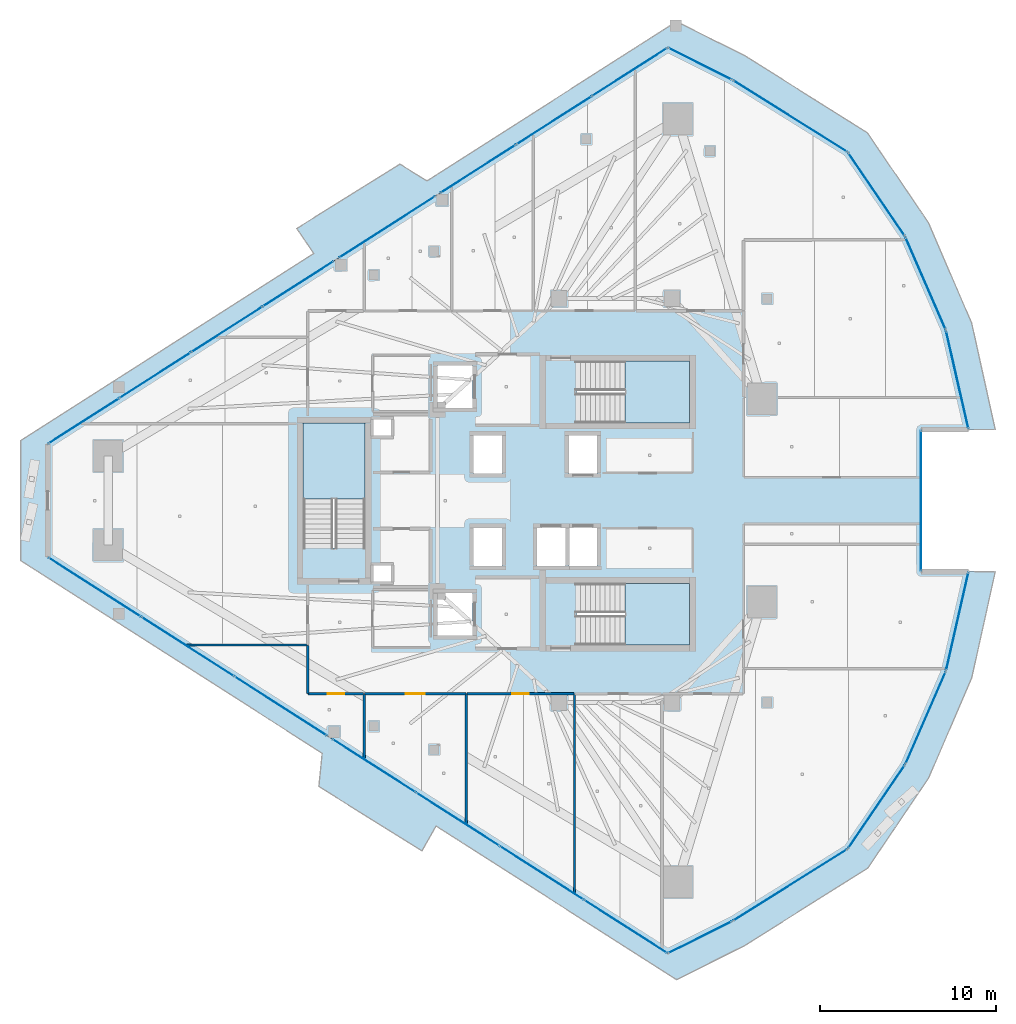
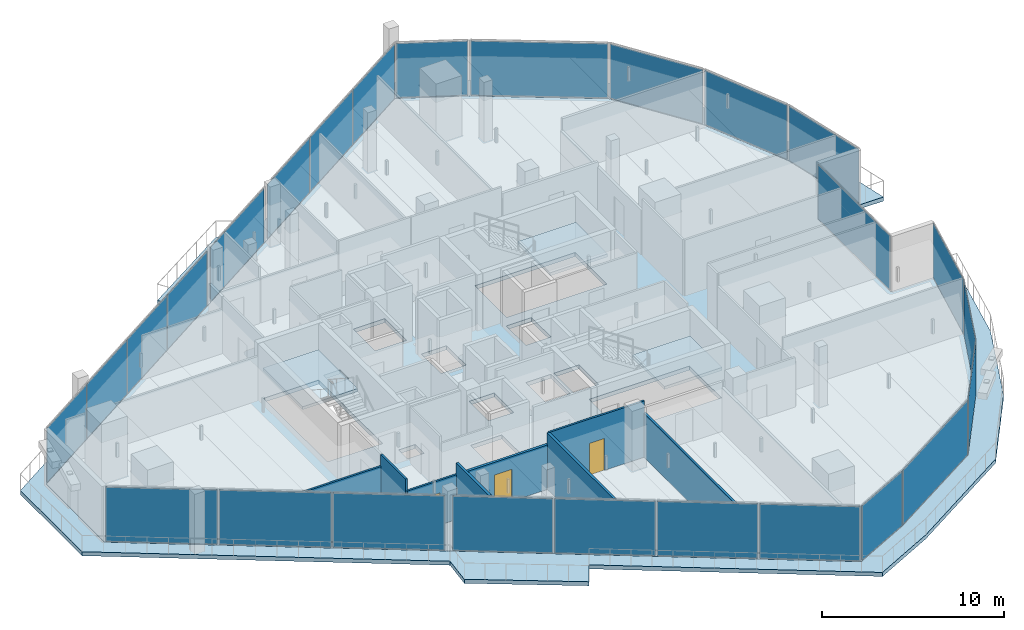
# One storey, part 23 of 36: 26 plates, 8 walls, 5 slabs, 3 doors, 3 openings, 19 elements without a shape of their own.
"""IFC4 building model written with IfcOpenShell, lengths in metres."""

from ifc_helpers import new_model, si_unit, direction, frame, frame_2d, origin, origin_2d, place, context, subcontext, project, spatial, polyline, rectangle, outline, extrude, material, layer, layer_set, type_object, element, fill, aggregate, save


model = new_model("IFC4")

# Units and contexts
model_context = context("Model", 3, precision=1e-05, world=origin(), true_north=direction((0.0, 1.0)))
body_context = subcontext(model_context, "Body", "Model", "MODEL_VIEW")
ifc_project = project(units=[si_unit("LENGTHUNIT", "METRE"), si_unit("AREAUNIT", "SQUARE_METRE"), si_unit("VOLUMEUNIT", "CUBIC_METRE"), si_unit("PLANEANGLEUNIT", "RADIAN"), si_unit("MASSUNIT", "GRAM", prefix="KILO")], contexts=[model_context])

# Site, building, storey
site_placement = place(None, origin())
site = spatial("IfcSite", under=ifc_project, at=site_placement, CompositionType="ELEMENT")
building_placement = place(site_placement, origin())
building = spatial("IfcBuilding", under=site, at=building_placement, Name="Qorvath Tower", CompositionType="ELEMENT")
storey_placement = place(building_placement, frame((0.0, 0.0, 241.5)))
storey = spatial("IfcBuildingStorey", under=building, at=storey_placement, Name="L56", CompositionType="ELEMENT", Elevation=241.5)

# Curtain wall, plates
ifc_material_1 = material(Name="Anodised aluminium and triple low-E glass", Category="aluminium")
ifc_layer_1 = layer(ifc_material_1, 0.179931640625)
ifc_layer_set_1 = layer_set([ifc_layer_1], Name="CW-SYS-3")
curtain_wall_type = type_object("IfcCurtainWallType", Name="CW-SYS-3", PredefinedType="NOTDEFINED", material=ifc_layer_set_1)
curtain_wall_1_placement = place(storey_placement, origin())
curtain_wall_1 = element("IfcCurtainWall", 1, at=curtain_wall_1_placement, inside=storey, type_object=curtain_wall_type, Name="Curtain Wall CW-3 CW-T-L56-2.1", PredefinedType="NOTDEFINED")
ifc_material_2 = material(Name="Low-E triple insulated glass", Category="glass")
ifc_layer_2 = layer(ifc_material_2, 0.031982421875)
ifc_layer_set_2 = layer_set([ifc_layer_2], Name="CWP-GLZ-32")
plate_type = type_object("IfcPlateType", Name="CWP-GLZ-32", PredefinedType="CURTAIN_PANEL", material=ifc_layer_set_2)
plate_1_placement = place(storey_placement, frame((-49.94287109375, -4.9091796875, 0.06494140625), z_axis=(0.0, 0.0, 1.0), x_axis=(0.842605426481, -0.538531424585, 0.0)))
plate_1 = element("IfcPlate", 2, at=plate_1_placement, type_object=plate_type, Name="CW-3 panel 1.1", PredefinedType="CURTAIN_PANEL", context=body_context, shape_type="SweptSolid", body=[
    extrude(rectangle(XDim=6.17919921875, YDim=0.031982421875, at=origin_2d()), origin(), (0.0, 0.0, 1.0), 3.64990234375),
])
plate_2_placement = place(storey_placement, frame((-44.66796875, -8.28076171875, 0.06494140625), z_axis=(0.0, 0.0, 1.0), x_axis=(0.842605426481, -0.538531424585, 0.0)))
plate_2 = element("IfcPlate", 3, at=plate_2_placement, type_object=plate_type, Name="CW-3 panel 2.1", PredefinedType="CURTAIN_PANEL", context=body_context, shape_type="SweptSolid", body=[
    extrude(rectangle(XDim=6.211669921875, YDim=0.031982421875, at=origin_2d()), origin(), (0.0, 0.0, 1.0), 3.64990234375),
])
plate_3_placement = place(storey_placement, frame((-39.392822265625, -11.65234375, 0.06494140625), z_axis=(0.0, 0.0, 1.0), x_axis=(0.842605426481, -0.538531424585, 0.0)))
plate_3 = element("IfcPlate", 4, at=plate_3_placement, type_object=plate_type, Name="CW-3 panel 3.1", PredefinedType="CURTAIN_PANEL", context=body_context, shape_type="SweptSolid", body=[
    extrude(rectangle(XDim=6.17919921875, YDim=0.031982421875, at=origin_2d()), origin(), (0.0, 0.0, 1.0), 3.64990234375),
])
aggregate(curtain_wall_1, [plate_1, plate_2, plate_3])

curtain_wall_2_placement = place(storey_placement, origin())
curtain_wall_2 = element("IfcCurtainWall", 5, at=curtain_wall_2_placement, inside=storey, type_object=curtain_wall_type, Name="Curtain Wall CW-3 CW-T-L56-2.2", PredefinedType="NOTDEFINED")
plate_4_placement = place(storey_placement, frame((-34.09765625, -15.03662109375, 0.06494140625), z_axis=(0.0, 0.0, 1.0), x_axis=(0.84260613198, -0.538530320734, 0.0)))
plate_4 = element("IfcPlate", 6, at=plate_4_placement, type_object=plate_type, Name="CW-3 panel 1.1", PredefinedType="CURTAIN_PANEL", context=body_context, shape_type="SweptSolid", body=[
    extrude(rectangle(XDim=5.555908203125, YDim=0.031982421875, at=origin_2d()), origin(), (0.0, 0.0, 1.0), 3.64990234375),
])
plate_5_placement = place(storey_placement, frame((-29.34765625, -18.072509765625, 0.06494140625), z_axis=(0.0, 0.0, 1.0), x_axis=(0.84260613198, -0.538530320734, 0.0)))
plate_5 = element("IfcPlate", 7, at=plate_5_placement, type_object=plate_type, Name="CW-3 panel 2.1", PredefinedType="CURTAIN_PANEL", context=body_context, shape_type="SweptSolid", body=[
    extrude(rectangle(XDim=5.58837890625, YDim=0.031982421875, at=origin_2d()), origin(), (0.0, 0.0, 1.0), 3.64990234375),
])
plate_6_placement = place(storey_placement, frame((-24.584228515625, -21.116943359375, 0.06494140625), z_axis=(0.0, 0.0, 1.0), x_axis=(0.84260613198, -0.538530320734, 0.0)))
plate_6 = element("IfcPlate", 8, at=plate_6_placement, type_object=plate_type, Name="CW-3 panel 3.1", PredefinedType="CURTAIN_PANEL", context=body_context, shape_type="SweptSolid", body=[
    extrude(rectangle(XDim=5.58837890625, YDim=0.031982421875, at=origin_2d()), origin(), (0.0, 0.0, 1.0), 3.64990234375),
])
plate_7_placement = place(storey_placement, frame((-19.834228515625, -24.15283203125, 0.06494140625), z_axis=(0.0, 0.0, 1.0), x_axis=(0.84260613198, -0.538530320734, 0.0)))
plate_7 = element("IfcPlate", 9, at=plate_7_placement, type_object=plate_type, Name="CW-3 panel 4.1", PredefinedType="CURTAIN_PANEL", context=body_context, shape_type="SweptSolid", body=[
    extrude(rectangle(XDim=5.555908203125, YDim=0.031982421875, at=origin_2d()), origin(), (0.0, 0.0, 1.0), 3.64990234375),
])
aggregate(curtain_wall_2, [plate_4, plate_5, plate_6, plate_7])

# Curtain wall, plate
curtain_wall_3_placement = place(storey_placement, origin())
curtain_wall_3 = element("IfcCurtainWall", 10, at=curtain_wall_3_placement, inside=storey, type_object=curtain_wall_type, Name="Curtain Wall CW-3 CW-T-L56-3.1", PredefinedType="NOTDEFINED")
plate_8_placement = place(storey_placement, frame((-15.60400390625, -24.7666015625, 0.06494140625), z_axis=(0.0, 0.0, 1.0), x_axis=(0.894446691879, 0.447174591616, 0.0)))
plate_8 = element("IfcPlate", 11, at=plate_8_placement, type_object=plate_type, Name="CW-3 panel 1.1", PredefinedType="CURTAIN_PANEL", context=body_context, shape_type="SweptSolid", body=[
    extrude(rectangle(XDim=3.97216796875, YDim=0.031982421875, at=origin_2d()), origin(), (0.0, 0.0, 1.0), 3.64990234375),
])
aggregate(curtain_wall_3, [plate_8])

curtain_wall_4_placement = place(storey_placement, origin())
curtain_wall_4 = element("IfcCurtainWall", 12, at=curtain_wall_4_placement, inside=storey, type_object=curtain_wall_type, Name="Curtain Wall CW-3 CW-T-L56-4.1", PredefinedType="NOTDEFINED")
plate_9_placement = place(storey_placement, frame((-10.500244140625, -21.803466796875, 0.06494140625), z_axis=(0.0, 0.0, 1.0), x_axis=(0.847692984538, 0.530487138359, 0.0)))
plate_9 = element("IfcPlate", 13, at=plate_9_placement, type_object=plate_type, Name="CW-3 panel 1.1", PredefinedType="CURTAIN_PANEL", context=body_context, shape_type="SweptSolid", body=[
    extrude(rectangle(XDim=7.583251953125, YDim=0.031982421875, at=origin_2d()), origin(), (0.0, 0.0, 1.0), 3.64990234375),
])
aggregate(curtain_wall_4, [plate_9])

curtain_wall_5_placement = place(storey_placement, origin())
curtain_wall_5 = element("IfcCurtainWall", 14, at=curtain_wall_5_placement, inside=storey, type_object=curtain_wall_type, Name="Curtain Wall CW-3 CW-T-L56-5.1", PredefinedType="NOTDEFINED")
plate_10_placement = place(storey_placement, frame((-5.6025390625, -17.3671875, 0.06494140625), z_axis=(0.0, 0.0, 1.0), x_axis=(0.563037480685, 0.826431361544, 0.0)))
plate_10 = element("IfcPlate", 15, at=plate_10_placement, type_object=plate_type, Name="CW-3 panel 1.1", PredefinedType="CURTAIN_PANEL", context=body_context, shape_type="SweptSolid", body=[
    extrude(rectangle(XDim=5.65478515625, YDim=0.031982421875, at=origin_2d()), origin(), (0.0, 0.0, 1.0), 3.64990234375),
])
aggregate(curtain_wall_5, [plate_10])

curtain_wall_6_placement = place(storey_placement, origin())
curtain_wall_6 = element("IfcCurtainWall", 16, at=curtain_wall_6_placement, inside=storey, type_object=curtain_wall_type, Name="Curtain Wall CW-3 CW-T-L56-6.1", PredefinedType="NOTDEFINED")
plate_11_placement = place(storey_placement, frame((-2.818115234375, -12.3251953125, 0.06494140625), z_axis=(0.0, 0.0, 1.0), x_axis=(0.399576108738, 0.916700023631, 0.0)))
plate_11 = element("IfcPlate", 17, at=plate_11_placement, type_object=plate_type, Name="CW-3 panel 1.1", PredefinedType="CURTAIN_PANEL", context=body_context, shape_type="SweptSolid", body=[
    extrude(rectangle(XDim=5.65478515625, YDim=0.031982421875, at=origin_2d()), origin(), (0.0, 0.0, 1.0), 3.64990234375),
])
aggregate(curtain_wall_6, [plate_11])

curtain_wall_7_placement = place(storey_placement, origin())
curtain_wall_7 = element("IfcCurtainWall", 18, at=curtain_wall_7_placement, inside=storey, type_object=curtain_wall_type, Name="Curtain Wall CW-3 CW-T-L56-7.1", PredefinedType="NOTDEFINED")
plate_12_placement = place(storey_placement, frame((-1.019775390625, -6.853759765625, 0.06494140625), z_axis=(0.0, 0.0, 1.0), x_axis=(0.222206102058, 0.97499971703, 0.0)))
plate_12 = element("IfcPlate", 19, at=plate_12_placement, type_object=plate_type, Name="CW-3 panel 1.1", PredefinedType="CURTAIN_PANEL", context=body_context, shape_type="SweptSolid", body=[
    extrude(rectangle(XDim=5.65478515625, YDim=0.031982421875, at=origin_2d()), origin(), (0.0, 0.0, 1.0), 3.64990234375),
])
aggregate(curtain_wall_7, [plate_12])

curtain_wall_8_placement = place(storey_placement, origin())
curtain_wall_8 = element("IfcCurtainWall", 20, at=curtain_wall_8_placement, inside=storey, type_object=curtain_wall_type, Name="Curtain Wall CW-3 CW-T-L56-9.1", PredefinedType="NOTDEFINED")
plate_13_placement = place(storey_placement, frame((-3.066162109375, 0.0, 0.06494140625), z_axis=(0.0, 0.0, 1.0), x_axis=(0.0, 1.0, 0.0)))
plate_13 = element("IfcPlate", 21, at=plate_13_placement, type_object=plate_type, Name="CW-3 panel 1.1", PredefinedType="CURTAIN_PANEL", context=body_context, shape_type="SweptSolid", body=[
    extrude(rectangle(XDim=7.9375, YDim=0.031982421875, at=origin_2d()), origin(), (0.0, 0.0, 1.0), 3.64990234375),
])
aggregate(curtain_wall_8, [plate_13])

curtain_wall_9_placement = place(storey_placement, origin())
curtain_wall_9 = element("IfcCurtainWall", 22, at=curtain_wall_9_placement, inside=storey, type_object=curtain_wall_type, Name="Curtain Wall CW-3 CW-T-L56-11.1", PredefinedType="NOTDEFINED")
plate_14_placement = place(storey_placement, frame((-1.019775390625, 6.853759765625, 0.06494140625), z_axis=(0.0, 0.0, 1.0), x_axis=(-0.222206102058, 0.97499971703, 0.0)))
plate_14 = element("IfcPlate", 23, at=plate_14_placement, type_object=plate_type, Name="CW-3 panel 1.1", PredefinedType="CURTAIN_PANEL", context=body_context, shape_type="SweptSolid", body=[
    extrude(rectangle(XDim=5.65478515625, YDim=0.031982421875, at=origin_2d()), origin(), (0.0, 0.0, 1.0), 3.64990234375),
])
aggregate(curtain_wall_9, [plate_14])

curtain_wall_10_placement = place(storey_placement, origin())
curtain_wall_10 = element("IfcCurtainWall", 24, at=curtain_wall_10_placement, inside=storey, type_object=curtain_wall_type, Name="Curtain Wall CW-3 CW-T-L56-12.1", PredefinedType="NOTDEFINED")
plate_15_placement = place(storey_placement, frame((-2.818115234375, 12.3251953125, 0.06494140625), z_axis=(0.0, 0.0, 1.0), x_axis=(-0.399576108738, 0.916700023631, 0.0)))
plate_15 = element("IfcPlate", 25, at=plate_15_placement, type_object=plate_type, Name="CW-3 panel 1.1", PredefinedType="CURTAIN_PANEL", context=body_context, shape_type="SweptSolid", body=[
    extrude(rectangle(XDim=5.65478515625, YDim=0.031982421875, at=origin_2d()), origin(), (0.0, 0.0, 1.0), 3.64990234375),
])
aggregate(curtain_wall_10, [plate_15])

curtain_wall_11_placement = place(storey_placement, origin())
curtain_wall_11 = element("IfcCurtainWall", 26, at=curtain_wall_11_placement, inside=storey, type_object=curtain_wall_type, Name="Curtain Wall CW-3 CW-T-L56-13.1", PredefinedType="NOTDEFINED")
plate_16_placement = place(storey_placement, frame((-5.6025390625, 17.3671875, 0.06494140625), z_axis=(0.0, 0.0, 1.0), x_axis=(-0.563037480685, 0.826431361544, 0.0)))
plate_16 = element("IfcPlate", 27, at=plate_16_placement, type_object=plate_type, Name="CW-3 panel 1.1", PredefinedType="CURTAIN_PANEL", context=body_context, shape_type="SweptSolid", body=[
    extrude(rectangle(XDim=5.65478515625, YDim=0.031982421875, at=origin_2d()), origin(), (0.0, 0.0, 1.0), 3.64990234375),
])
aggregate(curtain_wall_11, [plate_16])

curtain_wall_12_placement = place(storey_placement, origin())
curtain_wall_12 = element("IfcCurtainWall", 28, at=curtain_wall_12_placement, inside=storey, type_object=curtain_wall_type, Name="Curtain Wall CW-3 CW-T-L56-14.1", PredefinedType="NOTDEFINED")
plate_17_placement = place(storey_placement, frame((-10.500244140625, 21.803466796875, 0.06494140625), z_axis=(0.0, 0.0, 1.0), x_axis=(-0.847692984538, 0.530487138359, 0.0)))
plate_17 = element("IfcPlate", 29, at=plate_17_placement, type_object=plate_type, Name="CW-3 panel 1.1", PredefinedType="CURTAIN_PANEL", context=body_context, shape_type="SweptSolid", body=[
    extrude(rectangle(XDim=7.583251953125, YDim=0.031982421875, at=origin_2d()), origin(), (0.0, 0.0, 1.0), 3.64990234375),
])
aggregate(curtain_wall_12, [plate_17])

curtain_wall_13_placement = place(storey_placement, origin())
curtain_wall_13 = element("IfcCurtainWall", 30, at=curtain_wall_13_placement, inside=storey, type_object=curtain_wall_type, Name="Curtain Wall CW-3 CW-T-L56-15.1", PredefinedType="NOTDEFINED")
plate_18_placement = place(storey_placement, frame((-15.60400390625, 24.7666015625, 0.06494140625), z_axis=(0.0, 0.0, 1.0), x_axis=(-0.894446691879, 0.447174591616, 0.0)))
plate_18 = element("IfcPlate", 31, at=plate_18_placement, type_object=plate_type, Name="CW-3 panel 1.1", PredefinedType="CURTAIN_PANEL", context=body_context, shape_type="SweptSolid", body=[
    extrude(rectangle(XDim=3.97216796875, YDim=0.031982421875, at=origin_2d()), origin(), (0.0, 0.0, 1.0), 3.64990234375),
])
aggregate(curtain_wall_13, [plate_18])

# Curtain wall, plates
curtain_wall_14_placement = place(storey_placement, origin())
curtain_wall_14 = element("IfcCurtainWall", 32, at=curtain_wall_14_placement, inside=storey, type_object=curtain_wall_type, Name="Curtain Wall CW-3 CW-T-L56-16.1", PredefinedType="NOTDEFINED")
plate_19_placement = place(storey_placement, frame((-19.60498046875, 24.29931640625, 0.06494140625), z_axis=(0.0, 0.0, 1.0), x_axis=(-0.842608103516, -0.538527235977, 0.0)))
plate_19 = element("IfcPlate", 33, at=plate_19_placement, type_object=plate_type, Name="CW-3 panel 1.1", PredefinedType="CURTAIN_PANEL", context=body_context, shape_type="SweptSolid", body=[
    extrude(rectangle(XDim=5.011474609375, YDim=0.031982421875, at=origin_2d()), origin(), (0.0, 0.0, 1.0), 3.64990234375),
])
plate_20_placement = place(storey_placement, frame((-23.89599609375, 21.556640625, 0.06494140625), z_axis=(0.0, 0.0, 1.0), x_axis=(-0.842608103516, -0.538527235977, 0.0)))
plate_20 = element("IfcPlate", 34, at=plate_20_placement, type_object=plate_type, Name="CW-3 panel 2.1", PredefinedType="CURTAIN_PANEL", context=body_context, shape_type="SweptSolid", body=[
    extrude(rectangle(XDim=5.0439453125, YDim=0.031982421875, at=origin_2d()), origin(), (0.0, 0.0, 1.0), 3.64990234375),
])
plate_21_placement = place(storey_placement, frame((-28.187255859375, 18.814208984375, 0.06494140625), z_axis=(0.0, 0.0, 1.0), x_axis=(-0.842608103516, -0.538527235977, 0.0)))
plate_21 = element("IfcPlate", 35, at=plate_21_placement, type_object=plate_type, Name="CW-3 panel 3.1", PredefinedType="CURTAIN_PANEL", context=body_context, shape_type="SweptSolid", body=[
    extrude(rectangle(XDim=5.011474609375, YDim=0.031982421875, at=origin_2d()), origin(), (0.0, 0.0, 1.0), 3.64990234375),
])
aggregate(curtain_wall_14, [plate_19, plate_20, plate_21])

# Curtain wall, plate
curtain_wall_15_placement = place(storey_placement, origin())
curtain_wall_15 = element("IfcCurtainWall", 36, at=curtain_wall_15_placement, inside=storey, type_object=curtain_wall_type, Name="Curtain Wall CW-3 CW-T-L56-16.2", PredefinedType="NOTDEFINED")
plate_22_placement = place(storey_placement, frame((-33.35205078125, 15.512939453125, 0.06494140625), z_axis=(0.0, 0.0, 1.0), x_axis=(-0.842612861172, -0.538519791825, 0.0)))
plate_22 = element("IfcPlate", 37, at=plate_22_placement, type_object=plate_type, Name="CW-3 panel 1.1", PredefinedType="CURTAIN_PANEL", context=body_context, shape_type="SweptSolid", body=[
    extrude(rectangle(XDim=6.4140625, YDim=0.031982421875, at=origin_2d()), origin(), (0.0, 0.0, 1.0), 3.64990234375),
])
aggregate(curtain_wall_15, [plate_22])

# Curtain wall, plates
curtain_wall_16_placement = place(storey_placement, origin())
curtain_wall_16 = element("IfcCurtainWall", 38, at=curtain_wall_16_placement, inside=storey, type_object=curtain_wall_type, Name="Curtain Wall CW-3 CW-T-L56-16.3", PredefinedType="NOTDEFINED")
plate_23_placement = place(storey_placement, frame((-38.3955078125, 12.289306640625, 0.06494140625), z_axis=(0.0, 0.0, 1.0), x_axis=(-0.842608357207, -0.538526839039, 0.0)))
plate_23 = element("IfcPlate", 39, at=plate_23_placement, type_object=plate_type, Name="CW-3 panel 1.1", PredefinedType="CURTAIN_PANEL", context=body_context, shape_type="SweptSolid", body=[
    extrude(rectangle(XDim=4.723876953125, YDim=0.031982421875, at=origin_2d()), origin(), (0.0, 0.0, 1.0), 3.64990234375),
])
plate_24_placement = place(storey_placement, frame((-42.444580078125, 9.70166015625, 0.06494140625), z_axis=(0.0, 0.0, 1.0), x_axis=(-0.842608357207, -0.538526839039, 0.0)))
plate_24 = element("IfcPlate", 40, at=plate_24_placement, type_object=plate_type, Name="CW-3 panel 2.1", PredefinedType="CURTAIN_PANEL", context=body_context, shape_type="SweptSolid", body=[
    extrude(rectangle(XDim=4.756591796875, YDim=0.031982421875, at=origin_2d()), origin(), (0.0, 0.0, 1.0), 3.64990234375),
])
plate_25_placement = place(storey_placement, frame((-46.507080078125, 7.105224609375, 0.06494140625), z_axis=(0.0, 0.0, 1.0), x_axis=(-0.842608357207, -0.538526839039, 0.0)))
plate_25 = element("IfcPlate", 41, at=plate_25_placement, type_object=plate_type, Name="CW-3 panel 3.1", PredefinedType="CURTAIN_PANEL", context=body_context, shape_type="SweptSolid", body=[
    extrude(rectangle(XDim=4.756591796875, YDim=0.031982421875, at=origin_2d()), origin(), (0.0, 0.0, 1.0), 3.64990234375),
])
plate_26_placement = place(storey_placement, frame((-50.55615234375, 4.517333984375, 0.06494140625), z_axis=(0.0, 0.0, 1.0), x_axis=(-0.842608357207, -0.538526839039, 0.0)))
plate_26 = element("IfcPlate", 42, at=plate_26_placement, type_object=plate_type, Name="CW-3 panel 4.1", PredefinedType="CURTAIN_PANEL", context=body_context, shape_type="SweptSolid", body=[
    extrude(rectangle(XDim=4.723876953125, YDim=0.031982421875, at=origin_2d()), origin(), (0.0, 0.0, 1.0), 3.64990234375),
])
aggregate(curtain_wall_16, [plate_23, plate_24, plate_25, plate_26])

# Stair, slab
ifc_material_3 = material(Name="Concrete C50/60", Category="concrete")
stair_type = type_object("IfcStairType", Name="ST-H405", PredefinedType="HALF_TURN_STAIR", material=ifc_material_3)
stair_1_placement = place(storey_placement, origin())
stair_1 = element("IfcStair", 43, at=stair_1_placement, inside=storey, type_object=stair_type, Name="L56 Tower Exit Stair 1", PredefinedType="HALF_TURN_STAIR")
ifc_material_4 = material(Name="Concrete C50/60", Category="concrete")
ifc_layer_3 = layer(ifc_material_4, 0.199951171875)
ifc_layer_set_3 = layer_set([ifc_layer_3], Name="SL-LND-200")
slab_type_1 = type_object("IfcSlabType", Name="SL-LND-200", PredefinedType="LANDING", material=ifc_layer_set_3)
slab_1_placement = place(storey_placement, frame((0.0, 0.0, 1.824951171875)))
slab_1 = element("IfcSlab", 44, at=slab_1_placement, type_object=slab_type_1, Name="TS1 landing 1", PredefinedType="LANDING", context=body_context, shape_type="SweptSolid", body=[
    extrude(outline(polyline([(-19.8701171875, 4.39990234375), (-16.199951171875, 4.39990234375), (-16.199951171875, 7.909912109375), (-19.8701171875, 7.909912109375), (-19.8701171875, 4.39990234375)])), origin(), (0.0, 0.0, 1.0), 0.199951171875),
])
aggregate(stair_1, [slab_1])

stair_2_placement = place(storey_placement, origin())
stair_2 = element("IfcStair", 45, at=stair_2_placement, inside=storey, type_object=stair_type, Name="L56 Tower Exit Stair 2", PredefinedType="HALF_TURN_STAIR")
slab_2_placement = place(storey_placement, frame((0.0, 0.0, 1.824951171875)))
slab_2 = element("IfcSlab", 46, at=slab_2_placement, type_object=slab_type_1, Name="TS2 landing 1", PredefinedType="LANDING", context=body_context, shape_type="SweptSolid", body=[
    extrude(outline(polyline([(-19.8701171875, -8.199951171875), (-16.199951171875, -8.199951171875), (-16.199951171875, -4.68994140625), (-19.8701171875, -4.68994140625), (-19.8701171875, -8.199951171875)])), origin(), (0.0, 0.0, 1.0), 0.199951171875),
])
aggregate(stair_2, [slab_2])

stair_3_placement = place(storey_placement, origin())
stair_3 = element("IfcStair", 47, at=stair_3_placement, inside=storey, type_object=stair_type, Name="L56 Tower Exit Stair 3", PredefinedType="HALF_TURN_STAIR")
slab_3_placement = place(storey_placement, frame((0.0, 0.0, 1.824951171875)))
slab_3 = element("IfcSlab", 48, at=slab_3_placement, type_object=slab_type_1, Name="TS3 landing 1", PredefinedType="LANDING", context=body_context, shape_type="SweptSolid", body=[
    extrude(outline(polyline([(-34.60009765625, 0.080078125), (-34.60009765625, 4.39990234375), (-38.110107421875, 4.39990234375), (-38.110107421875, 0.080078125), (-34.60009765625, 0.080078125)])), origin(), (0.0, 0.0, 1.0), 0.199951171875),
])
aggregate(stair_3, [slab_3])

# Slabs
ifc_material_5 = material(Name="Precast concrete C45/55", Category="concrete")
ifc_layer_4 = layer(ifc_material_5, 0.27001953125)
ifc_layer_set_4 = layer_set([ifc_layer_4], Name="SL-LOG-270")
slab_type_2 = type_object("IfcSlabType", Name="SL-LOG-270", PredefinedType="FLOOR", material=ifc_layer_set_4)
slab_4_placement = place(storey_placement, frame((0.0, 0.0, -0.27001953125)))
element("IfcSlab", 49, at=slab_4_placement, inside=storey, type_object=slab_type_2, Name="Tower L56 Perimeter Loggia and Terrace Slab", PredefinedType="FLOOR", context=body_context, shape_type="SweptSolid", body=[
    extrude(outline(polyline([(-31.382568359375, -19.864013671875), (-30.578857421875, -18.4521484375), (-16.944580078125, -27.166259765625), (-13.063720703125, -25.225830078125), (-6.1103515625, -20.8525390625), (-2.64599609375, -15.73828125), (-0.203125, -10.06494140625), (1.131591796875, -4.03369140625), (-0.376953125, -4.03369140625), (-1.662353515625, -9.673828125), (-3.973876953125, -14.976806640625), (-7.23095703125, -19.757568359375), (-13.76953125, -23.849365234375), (-17.438720703125, -25.683837890625), (-52.60107421875, -3.21044921875), (-52.60107421875, 3.21044921875), (-17.438720703125, 25.683837890625), (-13.76953125, 23.849365234375), (-7.23095703125, 19.757568359375), (-3.973876953125, 14.976806640625), (-1.662353515625, 9.673828125), (-0.376953125, 4.03369140625), (1.131591796875, 4.03369140625), (-0.203125, 10.06494140625), (-2.64599609375, 15.73828125), (-6.1103515625, 20.8525390625), (-13.063720703125, 25.225830078125), (-16.944580078125, 27.166259765625), (-31.08642578125, 18.127685546875), (-32.6337890625, 19.082275390625), (-38.47509765625, 15.43212890625), (-37.510986328125, 14.021728515625), (-54.136474609375, 3.395751953125), (-54.136474609375, -3.395751953125), (-37.036376953125, -14.324951171875), (-37.223876953125, -16.2138671875), (-31.382568359375, -19.864013671875)])), origin(), (0.0, 0.0, 1.0), 0.27001953125),
])
ifc_material_6 = material(Name="Concrete C45/55", Category="concrete")
ifc_layer_5 = layer(ifc_material_6, 0.27001953125)
ifc_layer_set_5 = layer_set([ifc_layer_5], Name="SL-MID-270")
slab_type_3 = type_object("IfcSlabType", Name="SL-MID-270", PredefinedType="FLOOR", material=ifc_layer_set_5)
slab_5_placement = place(storey_placement, frame((0.0, 0.0, -0.27001953125)))
element("IfcSlab", 50, at=slab_5_placement, inside=storey, type_object=slab_type_3, Name="Tower L56 Interior Floor Slab", PredefinedType="FLOOR", context=body_context, shape_type="SweptSolid", body=[
    extrude(outline(polyline([(-52.60107421875, 3.21044921875), (-52.60107421875, -3.21044921875), (-17.438720703125, -25.683837890625), (-13.76953125, -23.849365234375), (-7.23095703125, -19.757568359375), (-3.973876953125, -14.976806640625), (-1.662353515625, -9.673828125), (-0.376953125, -4.03369140625), (-3.066162109375, -4.03369140625), (-3.066162109375, 4.03369140625), (-0.376953125, 4.03369140625), (-1.662353515625, 9.673828125), (-3.973876953125, 14.976806640625), (-7.23095703125, 19.757568359375), (-13.76953125, 23.849365234375), (-17.438720703125, 25.683837890625), (-52.60107421875, 3.21044921875)]), holes=[polyline([(-16.2451171875, -8.199951171875), (-22.625, -8.199951171875), (-22.625, -4.68994140625), (-16.2451171875, -4.68994140625), (-16.2451171875, -8.199951171875)]), polyline([(-22.625, 4.39990234375), (-22.625, 7.909912109375), (-16.2451171875, 7.909912109375), (-16.2451171875, 4.39990234375), (-22.625, 4.39990234375)]), polyline([(-21.449951171875, -3.699951171875), (-23.050048828125, -3.699951171875), (-23.050048828125, -1.550048828125), (-21.449951171875, -1.550048828125), (-21.449951171875, -3.699951171875)]), polyline([(-23.050048828125, 1.550048828125), (-23.050048828125, 3.699951171875), (-21.449951171875, 3.699951171875), (-21.449951171875, 1.550048828125), (-23.050048828125, 1.550048828125)]), polyline([(-24.85009765625, -3.699951171875), (-24.85009765625, -1.550048828125), (-23.25, -1.550048828125), (-23.25, -3.699951171875), (-24.85009765625, -3.699951171875)]), polyline([(-28.449951171875, -3.699951171875), (-28.449951171875, -1.550048828125), (-26.85009765625, -1.550048828125), (-26.85009765625, -3.699951171875), (-28.449951171875, -3.699951171875)]), polyline([(-26.85009765625, 1.550048828125), (-28.449951171875, 1.550048828125), (-28.449951171875, 3.699951171875), (-26.85009765625, 3.699951171875), (-26.85009765625, 1.550048828125)]), polyline([(-28.5, -7.64990234375), (-30.5, -7.64990234375), (-30.5, -5.25), (-28.5, -5.25), (-28.5, -7.64990234375)]), polyline([(-30.5, 5.25), (-30.5, 7.64990234375), (-28.5, 7.64990234375), (-28.5, 5.25), (-30.5, 5.25)]), polyline([(-34.14990234375, -4.6201171875), (-34.14990234375, -3.64990234375), (-33.10009765625, -3.64990234375), (-33.10009765625, -4.6201171875), (-34.14990234375, -4.6201171875)]), polyline([(-34.14990234375, 3.64990234375), (-34.14990234375, 4.6201171875), (-33.10009765625, 4.6201171875), (-33.10009765625, 3.64990234375), (-34.14990234375, 3.64990234375)]), polyline([(-34.60009765625, -2.675048828125), (-38.110107421875, -2.675048828125), (-38.110107421875, 4.35498046875), (-34.60009765625, 4.35498046875), (-34.60009765625, -2.675048828125)])]), origin(), (0.0, 0.0, 1.0), 0.27001953125),
])

# Wall, opening, door
ifc_material_7 = material(Name="Double acoustic gypsum board on steel studs", Category="steel")
ifc_layer_6 = layer(ifc_material_7, 0.159912109375)
ifc_layer_set_6 = layer_set([ifc_layer_6], Name="IW-ACOUSTIC-160")
wall_type_1 = type_object("IfcWallType", Name="IW-ACOUSTIC-160", PredefinedType="PARTITIONING", material=ifc_layer_set_6)
wall_1_placement = place(storey_placement, frame((-28.8876953125, -10.9580078125, 0.0), z_axis=(0.0, 0.0, 1.0), x_axis=(-1.0, 0.0, 0.0)))
wall_1 = element("IfcWall", 51, at=wall_1_placement, inside=storey, type_object=wall_type_1, Name="Interior Partition IW-T1-L56-033", PredefinedType="PARTITIONING", context=body_context, shape_type="SweptSolid", body=[
    extrude(rectangle(XDim=5.7373046875, YDim=0.159912109375, at=frame_2d((2.86865234375, 0.0))), origin(), (0.0, 0.0, 1.0), 3.0),
])
opening_1_placement = place(wall_1_placement, frame((2.318603515625, 0.0, 0.0)))
opening_1 = element("IfcOpeningElement", 52, at=opening_1_placement, cuts=wall_1, Name="Opening D-T1-L56-11", PredefinedType="OPENING", context=body_context, shape_type="SweptSolid", body=[
    extrude(rectangle(XDim=1.10009765625, YDim=2.14990234375, at=frame_2d((0.550048828125, 1.074951171875))), frame((0.0, 0.08984375, 0.0), z_axis=(0.0, -1.0, 0.0), x_axis=(1.0, 0.0, 0.0)), (0.0, 0.0, 1.0), 0.179931640625),
])
ifc_material_8 = material(Name="Anodised aluminium acoustic framed glass", Category="aluminium")
door_type_1 = type_object("IfcDoorType", Name="D-03", OperationType="NOTDEFINED", PredefinedType="DOOR", material=ifc_material_8)
door_1_placement = place(opening_1_placement, origin())
door_1 = element("IfcDoor", 53, at=door_1_placement, inside=storey, type_object=door_type_1, Name="L56-05 Digital Visualization Suite Door D-T1-L56-11", OperationType="SINGLE_SWING_LEFT", OverallHeight=2.14990234375, OverallWidth=1.10009765625, PredefinedType="DOOR", context=body_context, shape_type="SweptSolid", body=[
    extrude(rectangle(XDim=1.10009765625, YDim=2.14990234375, at=frame_2d((0.550048828125, 1.074951171875))), frame((0.0, 0.02490234375, 0.0), z_axis=(0.0, -1.0, 0.0), x_axis=(1.0, 0.0, 0.0)), (0.0, 0.0, 1.0), 0.050048828125),
])
fill(opening_1, door_1)

# Walls
wall_2_placement = place(storey_placement, frame((-34.64990234375, -10.98291015625, 0.0), z_axis=(0.0, 0.0, 1.0), x_axis=(0.0, -1.0, 0.0)))
element("IfcWall", 54, at=wall_2_placement, inside=storey, type_object=wall_type_1, Name="Interior Partition IW-T1-L56-034", PredefinedType="PARTITIONING", context=body_context, shape_type="SweptSolid", body=[
    extrude(rectangle(XDim=3.62060546875, YDim=0.159912109375, at=frame_2d((1.810302734375, 0.0))), origin(), (0.0, 0.0, 1.0), 3.780029296875),
])
wall_3_placement = place(storey_placement, frame((-28.86279296875, -18.30224609375, 0.0), z_axis=(0.0, 0.0, 1.0), x_axis=(0.0, 1.0, 0.0)))
element("IfcWall", 55, at=wall_3_placement, inside=storey, type_object=wall_type_1, Name="Interior Partition IW-T1-L56-035", PredefinedType="PARTITIONING", context=body_context, shape_type="SweptSolid", body=[
    extrude(rectangle(XDim=7.3193359375, YDim=0.159912109375, at=frame_2d((3.65966796875, 0.0))), origin(), (0.0, 0.0, 1.0), 3.780029296875),
])

# Wall, opening, door
ifc_material_9 = material(Name="Gypsum board on metal studs with mineral wool", Category="gypsum")
ifc_layer_7 = layer(ifc_material_9, 0.125)
ifc_layer_set_7 = layer_set([ifc_layer_7], Name="IW-PART-125")
wall_type_2 = type_object("IfcWallType", Name="IW-PART-125", PredefinedType="PARTITIONING", material=ifc_layer_set_7)
wall_4_placement = place(storey_placement, frame((-22.7578125, -10.9580078125, 0.0), z_axis=(0.0, 0.0, 1.0), x_axis=(-1.0, 0.0, 0.0)))
wall_4 = element("IfcWall", 56, at=wall_4_placement, inside=storey, type_object=wall_type_2, Name="Interior Partition IW-T1-L56-036", PredefinedType="PARTITIONING", context=body_context, shape_type="SweptSolid", body=[
    extrude(rectangle(XDim=6.07177734375, YDim=0.125, at=frame_2d((3.035888671875, 0.0))), origin(), (0.0, 0.0, 1.0), 3.780029296875),
])
opening_2_placement = place(wall_4_placement, frame((2.560791015625, 0.0, 0.0)))
opening_2 = element("IfcOpeningElement", 57, at=opening_2_placement, cuts=wall_4, Name="Opening D-T1-L56-12", PredefinedType="OPENING", context=body_context, shape_type="SweptSolid", body=[
    extrude(rectangle(XDim=0.949951171875, YDim=2.14990234375, at=frame_2d((0.47509765625, 1.074951171875))), frame((0.0, 0.072509765625, 0.0), z_axis=(0.0, -1.0, 0.0), x_axis=(1.0, 0.0, 0.0)), (0.0, 0.0, 1.0), 0.14501953125),
])
ifc_material_10 = material(Name="Solid-core American white oak veneer", Category="wood")
door_type_2 = type_object("IfcDoorType", Name="D-01", OperationType="NOTDEFINED", PredefinedType="DOOR", material=ifc_material_10)
door_2_placement = place(opening_2_placement, origin())
door_2 = element("IfcDoor", 58, at=door_2_placement, inside=storey, type_object=door_type_2, Name="L56-06 Quantitative Research Studio Door D-T1-L56-12", OperationType="SINGLE_SWING_RIGHT", OverallHeight=2.14990234375, OverallWidth=0.949951171875, PredefinedType="DOOR", context=body_context, shape_type="SweptSolid", body=[
    extrude(rectangle(XDim=0.949951171875, YDim=2.14990234375, at=frame_2d((0.47509765625, 1.074951171875))), frame((0.0, 0.02490234375, 0.0), z_axis=(0.0, -1.0, 0.0), x_axis=(1.0, 0.0, 0.0)), (0.0, 0.0, 1.0), 0.050048828125),
])
fill(opening_2, door_2)

# Wall
wall_5_placement = place(storey_placement, frame((-22.73291015625, -22.22021484375, 0.0), z_axis=(0.0, 0.0, 1.0), x_axis=(0.0, 1.0, 0.0)))
element("IfcWall", 59, at=wall_5_placement, inside=storey, type_object=wall_type_2, Name="Interior Partition IW-T1-L56-037", PredefinedType="PARTITIONING", context=body_context, shape_type="SweptSolid", body=[
    extrude(rectangle(XDim=11.2373046875, YDim=0.125, at=frame_2d((5.61865234375, 0.0))), origin(), (0.0, 0.0, 1.0), 2.97705078125),
])

# Wall, opening, door
wall_6_placement = place(storey_placement, frame((-37.8330078125, -10.9580078125, 0.0), z_axis=(0.0, 0.0, 1.0), x_axis=(1.0, 0.0, 0.0)))
wall_6 = element("IfcWall", 60, at=wall_6_placement, inside=storey, type_object=wall_type_2, Name="Interior Partition IW-T1-L56-051", PredefinedType="PARTITIONING", context=body_context, shape_type="SweptSolid", body=[
    extrude(rectangle(XDim=3.14990234375, YDim=0.125, at=frame_2d((1.574951171875, 0.0))), origin(), (0.0, 0.0, 1.0), 3.0),
])
opening_3_placement = place(wall_6_placement, frame((1.099853515625, 0.0, 0.0)))
opening_3 = element("IfcOpeningElement", 61, at=opening_3_placement, cuts=wall_6, Name="Opening D-T1-L56-18", PredefinedType="OPENING", context=body_context, shape_type="SweptSolid", body=[
    extrude(rectangle(XDim=0.949951171875, YDim=2.14990234375, at=frame_2d((0.47509765625, 1.074951171875))), frame((0.0, 0.072509765625, 0.0), z_axis=(0.0, -1.0, 0.0), x_axis=(1.0, 0.0, 0.0)), (0.0, 0.0, 1.0), 0.14501953125),
])
door_3_placement = place(opening_3_placement, origin())
door_3 = element("IfcDoor", 62, at=door_3_placement, inside=storey, type_object=door_type_2, Name="L56-12 Staff Wellness Studio Door D-T1-L56-18", OperationType="SINGLE_SWING_RIGHT", OverallHeight=2.14990234375, OverallWidth=0.949951171875, PredefinedType="DOOR", context=body_context, shape_type="SweptSolid", body=[
    extrude(rectangle(XDim=0.949951171875, YDim=2.14990234375, at=frame_2d((0.47509765625, 1.074951171875))), frame((0.0, 0.02490234375, 0.0), z_axis=(0.0, -1.0, 0.0), x_axis=(1.0, 0.0, 0.0)), (0.0, 0.0, 1.0), 0.050048828125),
])
fill(opening_3, door_3)

# Walls
wall_7_placement = place(storey_placement, frame((-37.85791015625, -10.93310546875, 0.0), z_axis=(0.0, 0.0, 1.0), x_axis=(0.0, 1.0, 0.0)))
element("IfcWall", 63, at=wall_7_placement, inside=storey, type_object=wall_type_2, Name="Interior Partition IW-T1-L56-052", PredefinedType="PARTITIONING", context=body_context, shape_type="SweptSolid", body=[
    extrude(rectangle(XDim=2.71728515625, YDim=0.125, at=frame_2d((1.358642578125, 0.0))), origin(), (0.0, 0.0, 1.0), 3.780029296875),
])
wall_8_placement = place(storey_placement, frame((-37.8828125, -8.190673828125, 0.0), z_axis=(0.0, 0.0, 1.0), x_axis=(-1.0, 0.0, 0.0)))
element("IfcWall", 64, at=wall_8_placement, inside=storey, type_object=wall_type_2, Name="Interior Partition IW-T1-L56-053", PredefinedType="PARTITIONING", context=body_context, shape_type="SweptSolid", body=[
    extrude(rectangle(XDim=6.84619140625, YDim=0.125, at=frame_2d((3.423095703125, 0.0))), origin(), (0.0, 0.0, 1.0), 3.0),
])

save(model, "model.ifc")
